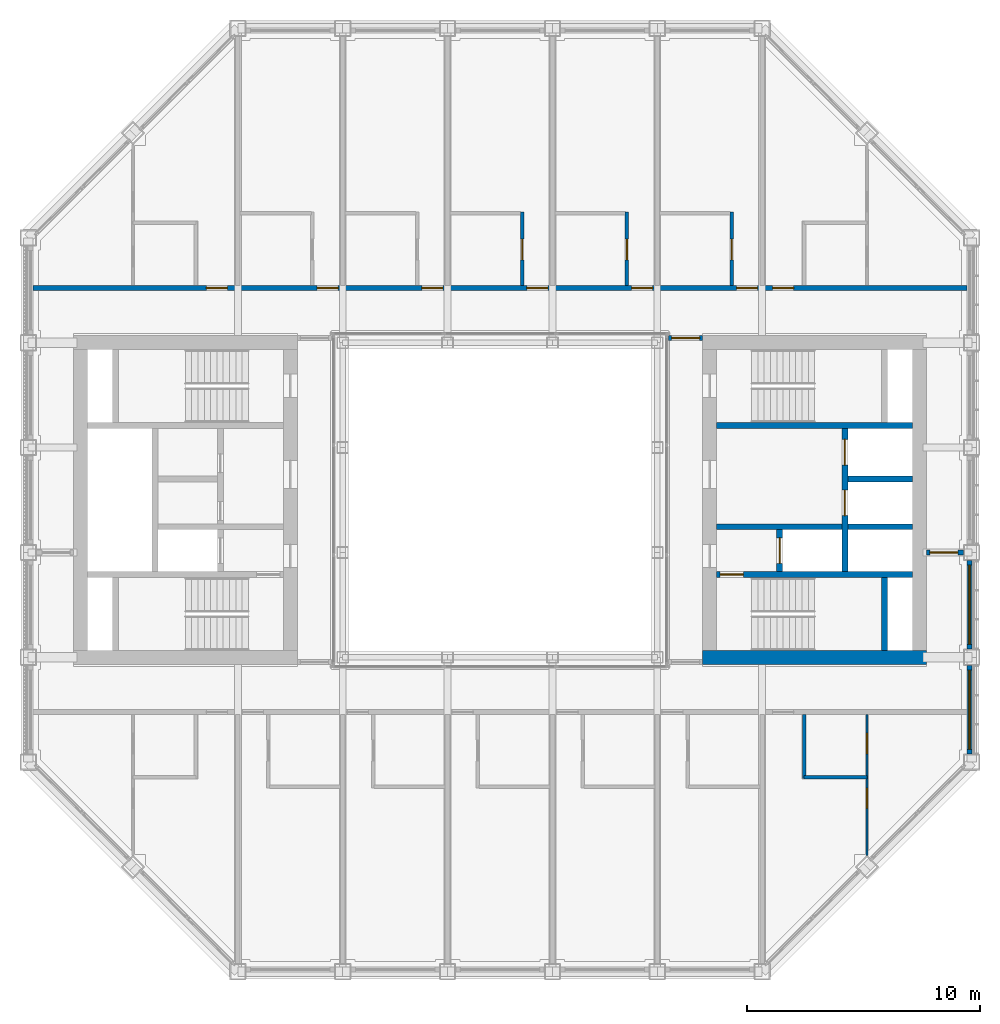
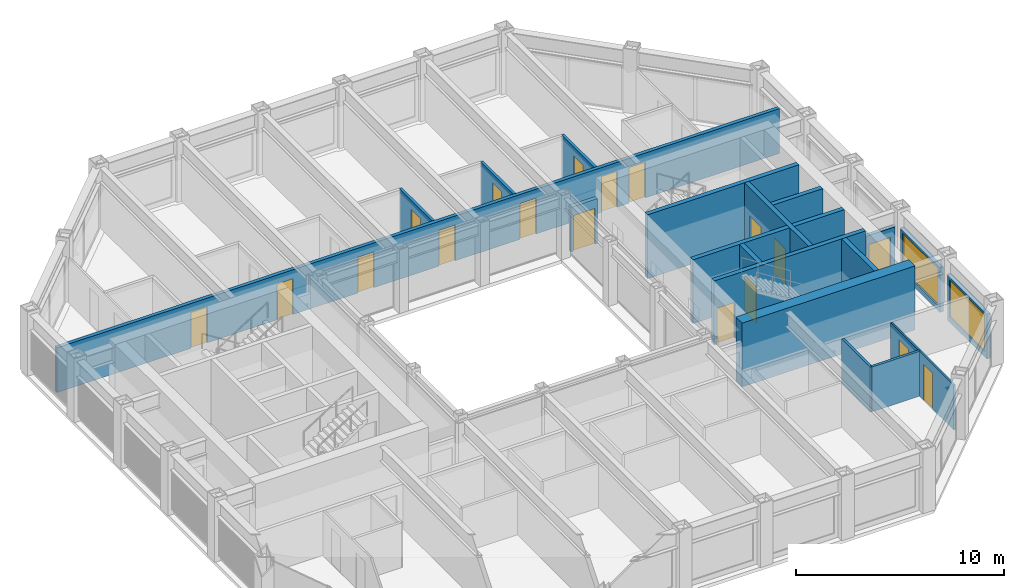
# One storey, part 11 of 18: 20 walls, 18 doors, 2 windows, 20 openings.
"""IFC4 building model written with IfcOpenShell, lengths in metres."""

from ifc_helpers import new_model, si_unit, direction, frame, frame_2d, origin, place, context, subcontext, project, spatial, rectangle, extrude, material, layer, layer_set, type_object, element, fill, save


model = new_model("IFC4")

# Units and contexts
model_context = context("Model", 3, precision=1e-05, world=origin(), true_north=direction((0.0, 1.0)))
body_context = subcontext(model_context, "Body", "Model", "MODEL_VIEW")
ifc_project = project(units=[si_unit("LENGTHUNIT", "METRE"), si_unit("AREAUNIT", "SQUARE_METRE"), si_unit("VOLUMEUNIT", "CUBIC_METRE"), si_unit("PLANEANGLEUNIT", "RADIAN"), si_unit("MASSUNIT", "GRAM", prefix="KILO")], contexts=[model_context])

# Site, building, storey
site_placement = place(None, origin())
site = spatial("IfcSite", under=ifc_project, at=site_placement, CompositionType="ELEMENT")
building_placement = place(site_placement, origin())
building = spatial("IfcBuilding", under=site, at=building_placement, Name="Msasa Ring Tower", CompositionType="ELEMENT")
storey_placement = place(building_placement, frame((0.0, 0.0, 208.300048828125)))
storey = spatial("IfcBuildingStorey", under=building, at=storey_placement, Name="L54", CompositionType="ELEMENT", Elevation=208.300048828125)

# Wall
ifc_material_1 = material(Name="Concrete C60/75", Category="concrete")
ifc_layer_1 = layer(ifc_material_1, 0.60009765625)
ifc_layer_set_1 = layer_set([ifc_layer_1], Name="CW3 CORE WALL 600")
wall_type_1 = type_object("IfcWallType", Name="CW3 CORE WALL 600", PredefinedType="SHEAR", material=ifc_layer_set_1)
wall_1_placement = place(storey_placement, frame((8.699951171875, -6.75, 0.0), z_axis=(0.0, 0.0, 1.0), x_axis=(1.0, 0.0, 0.0)))
element("IfcWall", 1, at=wall_1_placement, inside=storey, type_object=wall_type_1, Name="E core wall S L54", PredefinedType="SHEAR", context=body_context, shape_type="SweptSolid", body=[
    extrude(rectangle(XDim=9.60009765625, YDim=0.60009765625, at=frame_2d((4.800048828125, 0.0))), origin(), (0.0, 0.0, 1.0), 3.75),
])

# Wall, opening, door
ifc_material_2 = material(Name="Concrete C60/75", Category="concrete")
ifc_layer_2 = layer(ifc_material_2, 0.25)
ifc_layer_set_2 = layer_set([ifc_layer_2], Name="CW4 CORE INNER WALL 250")
wall_type_2 = type_object("IfcWallType", Name="CW4 CORE INNER WALL 250", PredefinedType="SHEAR", material=ifc_layer_set_2)
wall_2_placement = place(storey_placement, frame((9.300048828125, -3.199951171875, 0.0), z_axis=(0.0, 0.0, 1.0), x_axis=(1.0, 0.0, 0.0)))
wall_2 = element("IfcWall", 2, at=wall_2_placement, inside=storey, type_object=wall_type_2, Name="E core wall STAIRA L54", PredefinedType="SHEAR", context=body_context, shape_type="SweptSolid", body=[
    extrude(rectangle(XDim=8.39990234375, YDim=0.25, at=frame_2d((4.199951171875, 0.0))), origin(), (0.0, 0.0, 1.0), 3.75),
])
opening_1_placement = place(wall_2_placement, frame((0.14990234375, 0.0, 0.0)))
opening_1 = element("IfcOpeningElement", 3, at=opening_1_placement, cuts=wall_2, Name="Opening SA-030", PredefinedType="OPENING", context=body_context, shape_type="SweptSolid", body=[
    extrude(rectangle(XDim=1.0, YDim=2.10009765625, at=frame_2d((0.5, 1.050048828125))), frame((0.0, 0.135009765625, 0.0), z_axis=(0.0, -1.0, 0.0), x_axis=(1.0, 0.0, 0.0)), (0.0, 0.0, 1.0), 0.27001953125),
])
ifc_material_3 = material(Name="Timber door leaf in a steel frame", Category="steel")
door_type_1 = type_object("IfcDoorType", Name="D6 STAIR DOOR 1000x2100", OperationType="SINGLE_SWING_LEFT", PredefinedType="DOOR", material=ifc_material_3)
door_1_placement = place(opening_1_placement, origin())
door_1 = element("IfcDoor", 4, at=door_1_placement, inside=storey, type_object=door_type_1, Name="Door L54-ESTA", OperationType="SINGLE_SWING_LEFT", OverallHeight=2.10009765625, OverallWidth=1.0, PredefinedType="DOOR", context=body_context, shape_type="SweptSolid", body=[
    extrude(rectangle(XDim=1.0, YDim=2.10009765625, at=frame_2d((0.5, 1.050048828125))), frame((0.0, 0.02490234375, 0.0), z_axis=(0.0, -1.0, 0.0), x_axis=(1.0, 0.0, 0.0)), (0.0, 0.0, 1.0), 0.050048828125),
])
fill(opening_1, door_1)

# Walls
wall_3_placement = place(storey_placement, frame((9.300048828125, 3.199951171875, 0.0), z_axis=(0.0, 0.0, 1.0), x_axis=(1.0, 0.0, 0.0)))
element("IfcWall", 5, at=wall_3_placement, inside=storey, type_object=wall_type_2, Name="E core wall STAIRB L54", PredefinedType="SHEAR", context=body_context, shape_type="SweptSolid", body=[
    extrude(rectangle(XDim=8.39990234375, YDim=0.25, at=frame_2d((4.199951171875, 0.0))), origin(), (0.0, 0.0, 1.0), 3.75),
])
wall_4_placement = place(storey_placement, frame((16.5, -6.449951171875, 0.0), z_axis=(0.0, 0.0, 1.0), x_axis=(0.0, 1.0, 0.0)))
element("IfcWall", 6, at=wall_4_placement, inside=storey, type_object=wall_type_2, Name="E core wall RISERA L54", PredefinedType="SHEAR", context=body_context, shape_type="SweptSolid", body=[
    extrude(rectangle(XDim=3.125, YDim=0.25, at=frame_2d((1.5625, 0.0))), origin(), (0.0, 0.0, 1.0), 3.75),
])
wall_5_placement = place(storey_placement, frame((9.300048828125, -1.14990234375, 0.0), z_axis=(0.0, 0.0, 1.0), x_axis=(1.0, 0.0, 0.0)))
element("IfcWall", 7, at=wall_5_placement, inside=storey, type_object=wall_type_2, Name="E core wall FFL L54", PredefinedType="SHEAR", context=body_context, shape_type="SweptSolid", body=[
    extrude(rectangle(XDim=5.375, YDim=0.25, at=frame_2d((2.6875, 0.0))), origin(), (0.0, 0.0, 1.0), 3.75),
])

# Wall, opening, door
wall_6_placement = place(storey_placement, frame((12.0, -3.074951171875, 0.0), z_axis=(0.0, 0.0, 1.0), x_axis=(0.0, 1.0, 0.0)))
wall_6 = element("IfcWall", 8, at=wall_6_placement, inside=storey, type_object=wall_type_2, Name="E core wall LOBBY L54", PredefinedType="SHEAR", context=body_context, shape_type="SweptSolid", body=[
    extrude(rectangle(XDim=1.800048828125, YDim=0.25, at=frame_2d((0.89990234375, 0.0))), origin(), (0.0, 0.0, 1.0), 3.75),
])
opening_2_placement = place(wall_6_placement, frame((0.35009765625, 0.0, 0.0)))
opening_2 = element("IfcOpeningElement", 9, at=opening_2_placement, cuts=wall_6, Name="Opening LD1", PredefinedType="OPENING", context=body_context, shape_type="SweptSolid", body=[
    extrude(rectangle(XDim=1.10009765625, YDim=2.10009765625, at=frame_2d((0.550048828125, 1.050048828125))), frame((0.0, 0.135009765625, 0.0), z_axis=(0.0, -1.0, 0.0), x_axis=(1.0, 0.0, 0.0)), (0.0, 0.0, 1.0), 0.27001953125),
])
ifc_material_4 = material(Name="Stainless steel lift landing door", Category="steel")
door_type_2 = type_object("IfcDoorType", Name="LD1 LIFT LANDING DOOR 1100x2100", OperationType="DOUBLE_DOOR_SLIDING", PredefinedType="DOOR", material=ifc_material_4)
door_2_placement = place(opening_2_placement, origin())
door_2 = element("IfcDoor", 10, at=door_2_placement, inside=storey, type_object=door_type_2, Name="Lift landing door FL-E L54", OperationType="DOUBLE_DOOR_SLIDING", OverallHeight=2.10009765625, OverallWidth=1.10009765625, PredefinedType="DOOR", context=body_context, shape_type="SweptSolid", body=[
    extrude(rectangle(XDim=1.10009765625, YDim=2.10009765625, at=frame_2d((0.550048828125, 1.050048828125))), frame((0.0, 0.02490234375, 0.0), z_axis=(0.0, -1.0, 0.0), x_axis=(1.0, 0.0, 0.0)), (0.0, 0.0, 1.0), 0.050048828125),
])
fill(opening_2, door_2)

# Wall, openings, doors
wall_7_placement = place(storey_placement, frame((14.800048828125, -3.074951171875, 0.0), z_axis=(0.0, 0.0, 1.0), x_axis=(0.0, 1.0, 0.0)))
wall_7 = element("IfcWall", 11, at=wall_7_placement, inside=storey, type_object=wall_type_2, Name="E core wall SHAFT L54", PredefinedType="SHEAR", context=body_context, shape_type="SweptSolid", body=[
    extrude(rectangle(XDim=6.14990234375, YDim=0.25, at=frame_2d((3.074951171875, 0.0))), origin(), (0.0, 0.0, 1.0), 3.75),
])
opening_3_placement = place(wall_7_placement, frame((2.39990234375, 0.0, 0.0)))
opening_3 = element("IfcOpeningElement", 12, at=opening_3_placement, cuts=wall_7, Name="Opening LD1", PredefinedType="OPENING", context=body_context, shape_type="SweptSolid", body=[
    extrude(rectangle(XDim=1.10009765625, YDim=2.10009765625, at=frame_2d((0.550048828125, 1.050048828125))), frame((0.0, 0.135009765625, 0.0), z_axis=(0.0, -1.0, 0.0), x_axis=(1.0, 0.0, 0.0)), (0.0, 0.0, 1.0), 0.27001953125),
])
opening_4_placement = place(wall_7_placement, frame((4.574951171875, 0.0, 0.0)))
opening_4 = element("IfcOpeningElement", 13, at=opening_4_placement, cuts=wall_7, Name="Opening LD1", PredefinedType="OPENING", context=body_context, shape_type="SweptSolid", body=[
    extrude(rectangle(XDim=1.10009765625, YDim=2.10009765625, at=frame_2d((0.550048828125, 1.050048828125))), frame((0.0, 0.135009765625, 0.0), z_axis=(0.0, -1.0, 0.0), x_axis=(1.0, 0.0, 0.0)), (0.0, 0.0, 1.0), 0.27001953125),
])
door_3_placement = place(opening_3_placement, origin())
door_3 = element("IfcDoor", 14, at=door_3_placement, inside=storey, type_object=door_type_2, Name="Lift landing door PL-H1 L54", OperationType="DOUBLE_DOOR_SLIDING", OverallHeight=2.10009765625, OverallWidth=1.10009765625, PredefinedType="DOOR", context=body_context, shape_type="SweptSolid", body=[
    extrude(rectangle(XDim=1.10009765625, YDim=2.10009765625, at=frame_2d((0.550048828125, 1.050048828125))), frame((0.0, 0.02490234375, 0.0), z_axis=(0.0, -1.0, 0.0), x_axis=(1.0, 0.0, 0.0)), (0.0, 0.0, 1.0), 0.050048828125),
])
fill(opening_3, door_3)
door_4_placement = place(opening_4_placement, origin())
door_4 = element("IfcDoor", 15, at=door_4_placement, inside=storey, type_object=door_type_2, Name="Lift landing door PL-H2 L54", OperationType="DOUBLE_DOOR_SLIDING", OverallHeight=2.10009765625, OverallWidth=1.10009765625, PredefinedType="DOOR", context=body_context, shape_type="SweptSolid", body=[
    extrude(rectangle(XDim=1.10009765625, YDim=2.10009765625, at=frame_2d((0.550048828125, 1.050048828125))), frame((0.0, 0.02490234375, 0.0), z_axis=(0.0, -1.0, 0.0), x_axis=(1.0, 0.0, 0.0)), (0.0, 0.0, 1.0), 0.050048828125),
])
fill(opening_4, door_4)

# Walls
for number, where, z_axis, x_axis, name in (
    (16, (14.925048828125, -1.14990234375, 0.0), (0.0, 0.0, 1.0), (1.0, 0.0, 0.0), "E core wall HSEP L54"),
    (17, (14.925048828125, 0.89990234375, 0.0), (0.0, 0.0, 1.0), (1.0, 0.0, 0.0), "E core wall HLIFT L54"),
):
    element("IfcWall", number, at=place(storey_placement, frame(where, z_axis=z_axis, x_axis=x_axis)), inside=storey, type_object=wall_type_2, Name=name, PredefinedType="SHEAR", context=body_context, shape_type="SweptSolid", body=[
        extrude(rectangle(XDim=2.77490234375, YDim=0.25, at=frame_2d((1.387451171875, 0.0))), origin(), (0.0, 0.0, 1.0), 3.75),
    ])

# Wall, opening, window
ifc_material_5 = material(Name="Terracotta rainscreen on blockwork", Category="masonry")
ifc_layer_3 = layer(ifc_material_5, 0.199951171875)
ifc_layer_set_3 = layer_set([ifc_layer_3], Name="FW1 TERRACOTTA-LINED INFILL BAY WALL 200")
wall_type_3 = type_object("IfcWallType", Name="FW1 TERRACOTTA-LINED INFILL BAY WALL 200", PredefinedType="SOLIDWALL", material=ifc_layer_set_3)
wall_8_placement = place(storey_placement, frame((20.14990234375, -10.89501953125, 0.0), z_axis=(0.0, 0.0, 1.0), x_axis=(0.0, 1.0, 0.0)))
wall_8 = element("IfcWall", 18, at=wall_8_placement, inside=storey, type_object=wall_type_3, Name="Infill bay wall E L54 07", PredefinedType="SOLIDWALL", context=body_context, shape_type="SweptSolid", body=[
    extrude(rectangle(XDim=3.7900390625, YDim=0.199951171875, at=frame_2d((1.89501953125, 0.0))), origin(), (0.0, 0.0, 1.0), 2.62890625),
])
opening_5_placement = place(wall_8_placement, frame((0.195068359375, 0.0, 0.300048828125)))
opening_5 = element("IfcOpeningElement", 19, at=opening_5_placement, cuts=wall_8, Name="Opening WN3", PredefinedType="OPENING", context=body_context, shape_type="SweptSolid", body=[
    extrude(rectangle(XDim=3.39990234375, YDim=2.178955078125, at=frame_2d((1.699951171875, 1.08935546875))), frame((0.0, 0.10986328125, 0.0), z_axis=(0.0, -1.0, 0.0), x_axis=(1.0, 0.0, 0.0)), (0.0, 0.0, 1.0), 0.219970703125),
])
ifc_material_6 = material(Name="Aluminium frame with clear glass", Category="aluminium")
window_type = type_object("IfcWindowType", Name="WN3 SUITE WINDOW 3400x2179", PartitioningType="SINGLE_PANEL", PredefinedType="WINDOW", material=ifc_material_6)
window_1_placement = place(opening_5_placement, origin())
window_1 = element("IfcWindow", 20, at=window_1_placement, inside=storey, type_object=window_type, Name="Window E L54 07", OverallHeight=2.178955078125, OverallWidth=3.39990234375, PartitioningType="SINGLE_PANEL", PredefinedType="WINDOW", context=body_context, shape_type="SweptSolid", body=[
    extrude(rectangle(XDim=3.39990234375, YDim=2.178955078125, at=frame_2d((1.699951171875, 1.08935546875))), frame((0.0, 0.030029296875, 0.0), z_axis=(0.0, -1.0, 0.0), x_axis=(1.0, 0.0, 0.0)), (0.0, 0.0, 1.0), 0.06005859375),
])
fill(opening_5, window_1)

wall_9_placement = place(storey_placement, frame((20.14990234375, -6.39501953125, 0.0), z_axis=(0.0, 0.0, 1.0), x_axis=(0.0, 1.0, 0.0)))
wall_9 = element("IfcWall", 21, at=wall_9_placement, inside=storey, type_object=wall_type_3, Name="Infill bay wall E L54 08", PredefinedType="SOLIDWALL", context=body_context, shape_type="SweptSolid", body=[
    extrude(rectangle(XDim=3.7900390625, YDim=0.199951171875, at=frame_2d((1.89501953125, 0.0))), origin(), (0.0, 0.0, 1.0), 2.62890625),
])
opening_6_placement = place(wall_9_placement, frame((0.195068359375, 0.0, 0.300048828125)))
opening_6 = element("IfcOpeningElement", 22, at=opening_6_placement, cuts=wall_9, Name="Opening WN3", PredefinedType="OPENING", context=body_context, shape_type="SweptSolid", body=[
    extrude(rectangle(XDim=3.39990234375, YDim=2.178955078125, at=frame_2d((1.699951171875, 1.08935546875))), frame((0.0, 0.10986328125, 0.0), z_axis=(0.0, -1.0, 0.0), x_axis=(1.0, 0.0, 0.0)), (0.0, 0.0, 1.0), 0.219970703125),
])
window_2_placement = place(opening_6_placement, origin())
window_2 = element("IfcWindow", 23, at=window_2_placement, inside=storey, type_object=window_type, Name="Window E L54 08", OverallHeight=2.178955078125, OverallWidth=3.39990234375, PartitioningType="SINGLE_PANEL", PredefinedType="WINDOW", context=body_context, shape_type="SweptSolid", body=[
    extrude(rectangle(XDim=3.39990234375, YDim=2.178955078125, at=frame_2d((1.699951171875, 1.08935546875))), frame((0.0, 0.030029296875, 0.0), z_axis=(0.0, -1.0, 0.0), x_axis=(1.0, 0.0, 0.0)), (0.0, 0.0, 1.0), 0.06005859375),
])
fill(opening_6, window_2)

# Wall, opening, door
ifc_material_7 = material(Name="Concrete blockwork", Category="masonry")
ifc_layer_4 = layer(ifc_material_7, 0.199951171875)
ifc_layer_set_4 = layer_set([ifc_layer_4], Name="PT1 CORRIDOR WALL 200")
wall_type_4 = type_object("IfcWallType", Name="PT1 CORRIDOR WALL 200", PredefinedType="PARTITIONING", material=ifc_layer_set_4)
wall_10_placement = place(storey_placement, frame((18.300048828125, -2.25, 0.0), z_axis=(0.0, 0.0, 1.0), x_axis=(1.0, 0.0, 0.0)))
wall_10 = element("IfcWall", 24, at=wall_10_placement, inside=storey, type_object=wall_type_4, Name="Corridor wall L54-WSE", PredefinedType="PARTITIONING", context=body_context, shape_type="SweptSolid", body=[
    extrude(rectangle(XDim=1.599853515625, YDim=0.199951171875, at=frame_2d((0.7998046875, 0.0))), origin(), (0.0, 0.0, 1.0), 2.62890625),
])
opening_7_placement = place(wall_10_placement, frame((0.14990234375, 0.0, 0.0)))
opening_7 = element("IfcOpeningElement", 25, at=opening_7_placement, cuts=wall_10, Name="Opening SA-026", PredefinedType="OPENING", context=body_context, shape_type="SweptSolid", body=[
    extrude(rectangle(XDim=1.199951171875, YDim=2.10009765625, at=frame_2d((0.60009765625, 1.050048828125))), frame((0.0, 0.10986328125, 0.0), z_axis=(0.0, -1.0, 0.0), x_axis=(1.0, 0.0, 0.0)), (0.0, 0.0, 1.0), 0.219970703125),
])
ifc_material_8 = material(Name="Timber door leaf in a steel frame", Category="steel")
door_type_3 = type_object("IfcDoorType", Name="D25 CORRIDOR PAIR OF SMOKE DOORS 1200x2100", OperationType="DOUBLE_DOOR_DOUBLE_SWING", PredefinedType="DOOR", material=ifc_material_8)
door_5_placement = place(opening_7_placement, origin())
door_5 = element("IfcDoor", 26, at=door_5_placement, inside=storey, type_object=door_type_3, Name="Door L54-WSE", OperationType="DOUBLE_DOOR_DOUBLE_SWING", OverallHeight=2.10009765625, OverallWidth=1.199951171875, PredefinedType="DOOR", context=body_context, shape_type="SweptSolid", body=[
    extrude(rectangle(XDim=1.199951171875, YDim=2.10009765625, at=frame_2d((0.60009765625, 1.050048828125))), frame((0.0, 0.02490234375, 0.0), z_axis=(0.0, -1.0, 0.0), x_axis=(1.0, 0.0, 0.0)), (0.0, 0.0, 1.0), 0.050048828125),
])
fill(opening_7, door_5)

wall_11_placement = place(storey_placement, frame((7.22998046875, 6.949951171875, 0.0), z_axis=(0.0, 0.0, 1.0), x_axis=(1.0, 0.0, 0.0)))
wall_11 = element("IfcWall", 27, at=wall_11_placement, inside=storey, type_object=wall_type_4, Name="Corridor wall L54-SDEN", PredefinedType="PARTITIONING", context=body_context, shape_type="SweptSolid", body=[
    extrude(rectangle(XDim=1.469970703125, YDim=0.199951171875, at=frame_2d((0.73486328125, 0.0))), origin(), (0.0, 0.0, 1.0), 2.62890625),
])
opening_8_placement = place(wall_11_placement, frame((0.135009765625, 0.0, 0.0)))
opening_8 = element("IfcOpeningElement", 28, at=opening_8_placement, cuts=wall_11, Name="Opening SA-018", PredefinedType="OPENING", context=body_context, shape_type="SweptSolid", body=[
    extrude(rectangle(XDim=1.199951171875, YDim=2.10009765625, at=frame_2d((0.60009765625, 1.050048828125))), frame((0.0, 0.10986328125, 0.0), z_axis=(0.0, -1.0, 0.0), x_axis=(1.0, 0.0, 0.0)), (0.0, 0.0, 1.0), 0.219970703125),
])
door_6_placement = place(opening_8_placement, origin())
door_6 = element("IfcDoor", 29, at=door_6_placement, inside=storey, type_object=door_type_3, Name="Door L54-SDEN", OperationType="DOUBLE_DOOR_DOUBLE_SWING", OverallHeight=2.10009765625, OverallWidth=1.199951171875, PredefinedType="DOOR", context=body_context, shape_type="SweptSolid", body=[
    extrude(rectangle(XDim=1.199951171875, YDim=2.10009765625, at=frame_2d((0.60009765625, 1.050048828125))), frame((0.0, 0.02490234375, 0.0), z_axis=(0.0, -1.0, 0.0), x_axis=(1.0, 0.0, 0.0)), (0.0, 0.0, 1.0), 0.050048828125),
])
fill(opening_8, door_6)

# Wall, openings, doors
wall_12_placement = place(storey_placement, frame((-20.050048828125, 9.10009765625, 0.0), z_axis=(0.0, 0.0, 1.0), x_axis=(1.0, 0.0, 0.0)))
wall_12 = element("IfcWall", 30, at=wall_12_placement, inside=storey, type_object=wall_type_4, Name="Corridor wall L54-CORRN0", PredefinedType="PARTITIONING", context=body_context, shape_type="SweptSolid", body=[
    extrude(rectangle(XDim=40.10009765625, YDim=0.199951171875, at=frame_2d((20.050048828125, 0.0))), origin(), (0.0, 0.0, 1.0), 2.62890625),
])
opening_9_placement = place(wall_12_placement, frame((12.199951171875, 0.0, 0.0)))
opening_9 = element("IfcOpeningElement", 31, at=opening_9_placement, cuts=wall_12, Name="Opening SA-011", PredefinedType="OPENING", context=body_context, shape_type="SweptSolid", body=[
    extrude(rectangle(XDim=0.89990234375, YDim=2.10009765625, at=frame_2d((0.449951171875, 1.050048828125))), frame((0.0, 0.10986328125, 0.0), z_axis=(0.0, -1.0, 0.0), x_axis=(1.0, 0.0, 0.0)), (0.0, 0.0, 1.0), 0.219970703125),
])
opening_10_placement = place(wall_12_placement, frame((16.699951171875, 0.0, 0.0)))
opening_10 = element("IfcOpeningElement", 32, at=opening_10_placement, cuts=wall_12, Name="Opening SA-012", PredefinedType="OPENING", context=body_context, shape_type="SweptSolid", body=[
    extrude(rectangle(XDim=0.89990234375, YDim=2.10009765625, at=frame_2d((0.449951171875, 1.050048828125))), frame((0.0, 0.10986328125, 0.0), z_axis=(0.0, -1.0, 0.0), x_axis=(1.0, 0.0, 0.0)), (0.0, 0.0, 1.0), 0.219970703125),
])
opening_11_placement = place(wall_12_placement, frame((21.199951171875, 0.0, 0.0)))
opening_11 = element("IfcOpeningElement", 33, at=opening_11_placement, cuts=wall_12, Name="Opening SA-013", PredefinedType="OPENING", context=body_context, shape_type="SweptSolid", body=[
    extrude(rectangle(XDim=0.89990234375, YDim=2.10009765625, at=frame_2d((0.449951171875, 1.050048828125))), frame((0.0, 0.10986328125, 0.0), z_axis=(0.0, -1.0, 0.0), x_axis=(1.0, 0.0, 0.0)), (0.0, 0.0, 1.0), 0.219970703125),
])
opening_12_placement = place(wall_12_placement, frame((25.699951171875, 0.0, 0.0)))
opening_12 = element("IfcOpeningElement", 34, at=opening_12_placement, cuts=wall_12, Name="Opening SA-014", PredefinedType="OPENING", context=body_context, shape_type="SweptSolid", body=[
    extrude(rectangle(XDim=0.89990234375, YDim=2.10009765625, at=frame_2d((0.449951171875, 1.050048828125))), frame((0.0, 0.10986328125, 0.0), z_axis=(0.0, -1.0, 0.0), x_axis=(1.0, 0.0, 0.0)), (0.0, 0.0, 1.0), 0.219970703125),
])
opening_13_placement = place(wall_12_placement, frame((30.199951171875, 0.0, 0.0)))
opening_13 = element("IfcOpeningElement", 35, at=opening_13_placement, cuts=wall_12, Name="Opening SA-015", PredefinedType="OPENING", context=body_context, shape_type="SweptSolid", body=[
    extrude(rectangle(XDim=0.89990234375, YDim=2.10009765625, at=frame_2d((0.449951171875, 1.050048828125))), frame((0.0, 0.10986328125, 0.0), z_axis=(0.0, -1.0, 0.0), x_axis=(1.0, 0.0, 0.0)), (0.0, 0.0, 1.0), 0.219970703125),
])
opening_14_placement = place(wall_12_placement, frame((31.75, 0.0, 0.0)))
opening_14 = element("IfcOpeningElement", 36, at=opening_14_placement, cuts=wall_12, Name="Opening SA-016", PredefinedType="OPENING", context=body_context, shape_type="SweptSolid", body=[
    extrude(rectangle(XDim=0.89990234375, YDim=2.10009765625, at=frame_2d((0.449951171875, 1.050048828125))), frame((0.0, 0.10986328125, 0.0), z_axis=(0.0, -1.0, 0.0), x_axis=(1.0, 0.0, 0.0)), (0.0, 0.0, 1.0), 0.219970703125),
])
opening_15_placement = place(wall_12_placement, frame((7.449951171875, 0.0, 0.0)))
opening_15 = element("IfcOpeningElement", 37, at=opening_15_placement, cuts=wall_12, Name="Opening SA-010", PredefinedType="OPENING", context=body_context, shape_type="SweptSolid", body=[
    extrude(rectangle(XDim=0.89990234375, YDim=2.10009765625, at=frame_2d((0.449951171875, 1.050048828125))), frame((0.0, 0.10986328125, 0.0), z_axis=(0.0, -1.0, 0.0), x_axis=(1.0, 0.0, 0.0)), (0.0, 0.0, 1.0), 0.219970703125),
])
ifc_material_9 = material(Name="Timber door leaf in a steel frame", Category="steel")
door_type_4 = type_object("IfcDoorType", Name="D1 SINGLE DOOR TO CORRIDOR 900x2100", OperationType="SINGLE_SWING_LEFT", PredefinedType="DOOR", material=ifc_material_9)
door_7_placement = place(opening_9_placement, origin())
door_7 = element("IfcDoor", 38, at=door_7_placement, inside=storey, type_object=door_type_4, Name="Door L54-JN00", OperationType="SINGLE_SWING_LEFT", OverallHeight=2.10009765625, OverallWidth=0.89990234375, PredefinedType="DOOR", context=body_context, shape_type="SweptSolid", body=[
    extrude(rectangle(XDim=0.89990234375, YDim=2.10009765625, at=frame_2d((0.449951171875, 1.050048828125))), frame((0.0, 0.02490234375, 0.0), z_axis=(0.0, -1.0, 0.0), x_axis=(1.0, 0.0, 0.0)), (0.0, 0.0, 1.0), 0.050048828125),
])
fill(opening_9, door_7)
door_8_placement = place(opening_10_placement, origin())
door_8 = element("IfcDoor", 39, at=door_8_placement, inside=storey, type_object=door_type_4, Name="Door L54-JN01", OperationType="SINGLE_SWING_LEFT", OverallHeight=2.10009765625, OverallWidth=0.89990234375, PredefinedType="DOOR", context=body_context, shape_type="SweptSolid", body=[
    extrude(rectangle(XDim=0.89990234375, YDim=2.10009765625, at=frame_2d((0.449951171875, 1.050048828125))), frame((0.0, 0.02490234375, 0.0), z_axis=(0.0, -1.0, 0.0), x_axis=(1.0, 0.0, 0.0)), (0.0, 0.0, 1.0), 0.050048828125),
])
fill(opening_10, door_8)
door_9_placement = place(opening_11_placement, origin())
door_9 = element("IfcDoor", 40, at=door_9_placement, inside=storey, type_object=door_type_4, Name="Door L54-JN02", OperationType="SINGLE_SWING_RIGHT", OverallHeight=2.10009765625, OverallWidth=0.89990234375, PredefinedType="DOOR", context=body_context, shape_type="SweptSolid", body=[
    extrude(rectangle(XDim=0.89990234375, YDim=2.10009765625, at=frame_2d((0.449951171875, 1.050048828125))), frame((0.0, 0.02490234375, 0.0), z_axis=(0.0, -1.0, 0.0), x_axis=(1.0, 0.0, 0.0)), (0.0, 0.0, 1.0), 0.050048828125),
])
fill(opening_11, door_9)
door_10_placement = place(opening_12_placement, origin())
door_10 = element("IfcDoor", 41, at=door_10_placement, inside=storey, type_object=door_type_4, Name="Door L54-JN03", OperationType="SINGLE_SWING_RIGHT", OverallHeight=2.10009765625, OverallWidth=0.89990234375, PredefinedType="DOOR", context=body_context, shape_type="SweptSolid", body=[
    extrude(rectangle(XDim=0.89990234375, YDim=2.10009765625, at=frame_2d((0.449951171875, 1.050048828125))), frame((0.0, 0.02490234375, 0.0), z_axis=(0.0, -1.0, 0.0), x_axis=(1.0, 0.0, 0.0)), (0.0, 0.0, 1.0), 0.050048828125),
])
fill(opening_12, door_10)
door_11_placement = place(opening_13_placement, origin())
door_11 = element("IfcDoor", 42, at=door_11_placement, inside=storey, type_object=door_type_4, Name="Door L54-JN04", OperationType="SINGLE_SWING_RIGHT", OverallHeight=2.10009765625, OverallWidth=0.89990234375, PredefinedType="DOOR", context=body_context, shape_type="SweptSolid", body=[
    extrude(rectangle(XDim=0.89990234375, YDim=2.10009765625, at=frame_2d((0.449951171875, 1.050048828125))), frame((0.0, 0.02490234375, 0.0), z_axis=(0.0, -1.0, 0.0), x_axis=(1.0, 0.0, 0.0)), (0.0, 0.0, 1.0), 0.050048828125),
])
fill(opening_13, door_11)
ifc_material_10 = material(Name="Timber door leaf in a steel frame", Category="steel")
door_type_5 = type_object("IfcDoorType", Name="D2 ENTRANCE DOOR 900x2100", OperationType="SINGLE_SWING_LEFT", PredefinedType="DOOR", material=ifc_material_10)
door_12_placement = place(opening_14_placement, origin())
door_12 = element("IfcDoor", 43, at=door_12_placement, inside=storey, type_object=door_type_5, Name="Door L54-CSNE", OperationType="SINGLE_SWING_RIGHT", OverallHeight=2.10009765625, OverallWidth=0.89990234375, PredefinedType="DOOR", context=body_context, shape_type="SweptSolid", body=[
    extrude(rectangle(XDim=0.89990234375, YDim=2.10009765625, at=frame_2d((0.449951171875, 1.050048828125))), frame((0.0, 0.02490234375, 0.0), z_axis=(0.0, -1.0, 0.0), x_axis=(1.0, 0.0, 0.0)), (0.0, 0.0, 1.0), 0.050048828125),
])
fill(opening_14, door_12)
door_13_placement = place(opening_15_placement, origin())
door_13 = element("IfcDoor", 44, at=door_13_placement, inside=storey, type_object=door_type_5, Name="Door L54-CSNW", OperationType="SINGLE_SWING_LEFT", OverallHeight=2.10009765625, OverallWidth=0.89990234375, PredefinedType="DOOR", context=body_context, shape_type="SweptSolid", body=[
    extrude(rectangle(XDim=0.89990234375, YDim=2.10009765625, at=frame_2d((0.449951171875, 1.050048828125))), frame((0.0, 0.02490234375, 0.0), z_axis=(0.0, -1.0, 0.0), x_axis=(1.0, 0.0, 0.0)), (0.0, 0.0, 1.0), 0.050048828125),
])
fill(opening_15, door_13)

ifc_material_11 = material(Name="Gypsum board on steel studs", Category="steel")
ifc_layer_5 = layer(ifc_material_11, 0.10009765625)
ifc_layer_set_5 = layer_set([ifc_layer_5], Name="PT2 STUD PARTITION 100")
wall_type_5 = type_object("IfcWallType", Name="PT2 STUD PARTITION 100", PredefinedType="PARTITIONING", material=ifc_layer_set_5)
wall_13_placement = place(storey_placement, frame((15.75, -15.2548828125, 0.0), z_axis=(0.0, 0.0, 1.0), x_axis=(0.0, 1.0, 0.0)))
wall_13 = element("IfcWall", 45, at=wall_13_placement, inside=storey, type_object=wall_type_5, Name="Partition L54-CSSEP1", PredefinedType="PARTITIONING", context=body_context, shape_type="SweptSolid", body=[
    extrude(rectangle(XDim=6.054931640625, YDim=0.10009765625, at=frame_2d((3.02734375, 0.0))), origin(), (0.0, 0.0, 1.0), 2.62890625),
])
opening_16_placement = place(wall_13_placement, frame((2.030029296875, 0.0, 0.0)))
opening_16 = element("IfcOpeningElement", 46, at=opening_16_placement, cuts=wall_13, Name="Opening SA-048", PredefinedType="OPENING", context=body_context, shape_type="SweptSolid", body=[
    extrude(rectangle(XDim=0.85009765625, YDim=2.10009765625, at=frame_2d((0.425048828125, 1.050048828125))), frame((0.0, 0.06005859375, 0.0), z_axis=(0.0, -1.0, 0.0), x_axis=(1.0, 0.0, 0.0)), (0.0, 0.0, 1.0), 0.1201171875),
])
opening_17_placement = place(wall_13_placement, frame((4.35498046875, 0.0, 0.0)))
opening_17 = element("IfcOpeningElement", 47, at=opening_17_placement, cuts=wall_13, Name="Opening SA-041", PredefinedType="OPENING", context=body_context, shape_type="SweptSolid", body=[
    extrude(rectangle(XDim=0.89990234375, YDim=2.10009765625, at=frame_2d((0.449951171875, 1.050048828125))), frame((0.0, 0.06005859375, 0.0), z_axis=(0.0, -1.0, 0.0), x_axis=(1.0, 0.0, 0.0)), (0.0, 0.0, 1.0), 0.1201171875),
])
ifc_material_12 = material(Name="Timber door leaf in a steel frame", Category="steel")
door_type_6 = type_object("IfcDoorType", Name="D14 BEDROOM DOOR 850x2100", OperationType="SINGLE_SWING_LEFT", PredefinedType="DOOR", material=ifc_material_12)
door_14_placement = place(opening_16_placement, origin())
door_14 = element("IfcDoor", 48, at=door_14_placement, inside=storey, type_object=door_type_6, Name="Door L54-CSSER1", OperationType="SINGLE_SWING_LEFT", OverallHeight=2.10009765625, OverallWidth=0.85009765625, PredefinedType="DOOR", context=body_context, shape_type="SweptSolid", body=[
    extrude(rectangle(XDim=0.85009765625, YDim=2.10009765625, at=frame_2d((0.425048828125, 1.050048828125))), frame((0.0, 0.02490234375, 0.0), z_axis=(0.0, -1.0, 0.0), x_axis=(1.0, 0.0, 0.0)), (0.0, 0.0, 1.0), 0.050048828125),
])
fill(opening_16, door_14)
ifc_material_13 = material(Name="Timber door leaf in a steel frame", Category="steel")
door_type_7 = type_object("IfcDoorType", Name="D3 BATHROOM DOOR 900x2100", OperationType="SINGLE_SWING_LEFT", PredefinedType="DOOR", material=ifc_material_13)
door_15_placement = place(opening_17_placement, origin())
door_15 = element("IfcDoor", 49, at=door_15_placement, inside=storey, type_object=door_type_7, Name="Door L54-CSSEB1", OperationType="SINGLE_SWING_RIGHT", OverallHeight=2.10009765625, OverallWidth=0.89990234375, PredefinedType="DOOR", context=body_context, shape_type="SweptSolid", body=[
    extrude(rectangle(XDim=0.89990234375, YDim=2.10009765625, at=frame_2d((0.449951171875, 1.050048828125))), frame((0.0, 0.02490234375, 0.0), z_axis=(0.0, -1.0, 0.0), x_axis=(1.0, 0.0, 0.0)), (0.0, 0.0, 1.0), 0.050048828125),
])
fill(opening_17, door_15)

# Wall, opening, door
ifc_material_14 = material(Name="Moisture-resistant board on steel studs with a concealed cistern and pipe void, tiled", Category="steel")
ifc_layer_6 = layer(ifc_material_14, 0.14990234375)
ifc_layer_set_6 = layer_set([ifc_layer_6], Name="PT4 BATHROOM WET WALL 150")
wall_type_6 = type_object("IfcWallType", Name="PT4 BATHROOM WET WALL 150", PredefinedType="PARTITIONING", material=ifc_layer_set_6)
wall_14_placement = place(storey_placement, frame((0.949951171875, 9.199951171875, 0.0), z_axis=(0.0, 0.0, 1.0), x_axis=(0.0, 1.0, 0.0)))
wall_14 = element("IfcWall", 50, at=wall_14_placement, inside=storey, type_object=wall_type_6, Name="Partition L54-JN02BX", PredefinedType="PARTITIONING", context=body_context, shape_type="SweptSolid", body=[
    extrude(rectangle(XDim=3.150146484375, YDim=0.14990234375, at=frame_2d((1.5751953125, 0.0))), origin(), (0.0, 0.0, 1.0), 2.62890625),
])
opening_18_placement = place(wall_14_placement, frame((1.10009765625, 0.0, 0.0)))
opening_18 = element("IfcOpeningElement", 51, at=opening_18_placement, cuts=wall_14, Name="Opening SA-005", PredefinedType="OPENING", context=body_context, shape_type="SweptSolid", body=[
    extrude(rectangle(XDim=0.89990234375, YDim=2.10009765625, at=frame_2d((0.449951171875, 1.050048828125))), frame((0.0, 0.0849609375, 0.0), z_axis=(0.0, -1.0, 0.0), x_axis=(1.0, 0.0, 0.0)), (0.0, 0.0, 1.0), 0.169921875),
])
door_16_placement = place(opening_18_placement, origin())
door_16 = element("IfcDoor", 52, at=door_16_placement, inside=storey, type_object=door_type_7, Name="Door L54-JN02B", OperationType="SINGLE_SWING_LEFT", OverallHeight=2.10009765625, OverallWidth=0.89990234375, PredefinedType="DOOR", context=body_context, shape_type="SweptSolid", body=[
    extrude(rectangle(XDim=0.89990234375, YDim=2.10009765625, at=frame_2d((0.449951171875, 1.050048828125))), frame((0.0, 0.02490234375, 0.0), z_axis=(0.0, -1.0, 0.0), x_axis=(1.0, 0.0, 0.0)), (0.0, 0.0, 1.0), 0.050048828125),
])
fill(opening_18, door_16)

wall_15_placement = place(storey_placement, frame((5.449951171875, 9.199951171875, 0.0), z_axis=(0.0, 0.0, 1.0), x_axis=(0.0, 1.0, 0.0)))
wall_15 = element("IfcWall", 53, at=wall_15_placement, inside=storey, type_object=wall_type_6, Name="Partition L54-JN03BX", PredefinedType="PARTITIONING", context=body_context, shape_type="SweptSolid", body=[
    extrude(rectangle(XDim=3.150146484375, YDim=0.14990234375, at=frame_2d((1.5751953125, 0.0))), origin(), (0.0, 0.0, 1.0), 2.62890625),
])
opening_19_placement = place(wall_15_placement, frame((1.10009765625, 0.0, 0.0)))
opening_19 = element("IfcOpeningElement", 54, at=opening_19_placement, cuts=wall_15, Name="Opening SA-006", PredefinedType="OPENING", context=body_context, shape_type="SweptSolid", body=[
    extrude(rectangle(XDim=0.89990234375, YDim=2.10009765625, at=frame_2d((0.449951171875, 1.050048828125))), frame((0.0, 0.0849609375, 0.0), z_axis=(0.0, -1.0, 0.0), x_axis=(1.0, 0.0, 0.0)), (0.0, 0.0, 1.0), 0.169921875),
])
door_17_placement = place(opening_19_placement, origin())
door_17 = element("IfcDoor", 55, at=door_17_placement, inside=storey, type_object=door_type_7, Name="Door L54-JN03B", OperationType="SINGLE_SWING_LEFT", OverallHeight=2.10009765625, OverallWidth=0.89990234375, PredefinedType="DOOR", context=body_context, shape_type="SweptSolid", body=[
    extrude(rectangle(XDim=0.89990234375, YDim=2.10009765625, at=frame_2d((0.449951171875, 1.050048828125))), frame((0.0, 0.02490234375, 0.0), z_axis=(0.0, -1.0, 0.0), x_axis=(1.0, 0.0, 0.0)), (0.0, 0.0, 1.0), 0.050048828125),
])
fill(opening_19, door_17)

wall_16_placement = place(storey_placement, frame((9.949951171875, 9.199951171875, 0.0), z_axis=(0.0, 0.0, 1.0), x_axis=(0.0, 1.0, 0.0)))
wall_16 = element("IfcWall", 56, at=wall_16_placement, inside=storey, type_object=wall_type_6, Name="Partition L54-JN04BX", PredefinedType="PARTITIONING", context=body_context, shape_type="SweptSolid", body=[
    extrude(rectangle(XDim=3.150146484375, YDim=0.14990234375, at=frame_2d((1.5751953125, 0.0))), origin(), (0.0, 0.0, 1.0), 2.62890625),
])
opening_20_placement = place(wall_16_placement, frame((1.10009765625, 0.0, 0.0)))
opening_20 = element("IfcOpeningElement", 57, at=opening_20_placement, cuts=wall_16, Name="Opening SA-007", PredefinedType="OPENING", context=body_context, shape_type="SweptSolid", body=[
    extrude(rectangle(XDim=0.89990234375, YDim=2.10009765625, at=frame_2d((0.449951171875, 1.050048828125))), frame((0.0, 0.0849609375, 0.0), z_axis=(0.0, -1.0, 0.0), x_axis=(1.0, 0.0, 0.0)), (0.0, 0.0, 1.0), 0.169921875),
])
door_18_placement = place(opening_20_placement, origin())
door_18 = element("IfcDoor", 58, at=door_18_placement, inside=storey, type_object=door_type_7, Name="Door L54-JN04B", OperationType="SINGLE_SWING_LEFT", OverallHeight=2.10009765625, OverallWidth=0.89990234375, PredefinedType="DOOR", context=body_context, shape_type="SweptSolid", body=[
    extrude(rectangle(XDim=0.89990234375, YDim=2.10009765625, at=frame_2d((0.449951171875, 1.050048828125))), frame((0.0, 0.02490234375, 0.0), z_axis=(0.0, -1.0, 0.0), x_axis=(1.0, 0.0, 0.0)), (0.0, 0.0, 1.0), 0.050048828125),
])
fill(opening_20, door_18)

# Walls
wall_17_placement = place(storey_placement, frame((13.050048828125, -11.949951171875, 0.0), z_axis=(0.0, 0.0, 1.0), x_axis=(0.0, 1.0, 0.0)))
element("IfcWall", 59, at=wall_17_placement, inside=storey, type_object=wall_type_6, Name="Partition L54-CSSEBX", PredefinedType="PARTITIONING", context=body_context, shape_type="SweptSolid", body=[
    extrude(rectangle(XDim=2.75, YDim=0.14990234375, at=frame_2d((1.375, 0.0))), origin(), (0.0, 0.0, 1.0), 2.62890625),
])
wall_18_placement = place(storey_placement, frame((13.050048828125, -11.89990234375, 0.0), z_axis=(0.0, 0.0, 1.0), x_axis=(1.0, 0.0, 0.0)))
element("IfcWall", 60, at=wall_18_placement, inside=storey, type_object=wall_type_6, Name="Partition L54-CSSEBY", PredefinedType="PARTITIONING", context=body_context, shape_type="SweptSolid", body=[
    extrude(rectangle(XDim=2.699951171875, YDim=0.14990234375, at=frame_2d((1.35009765625, 0.0))), origin(), (0.0, 0.0, 1.0), 2.62890625),
])

save(model, "model.ifc")
